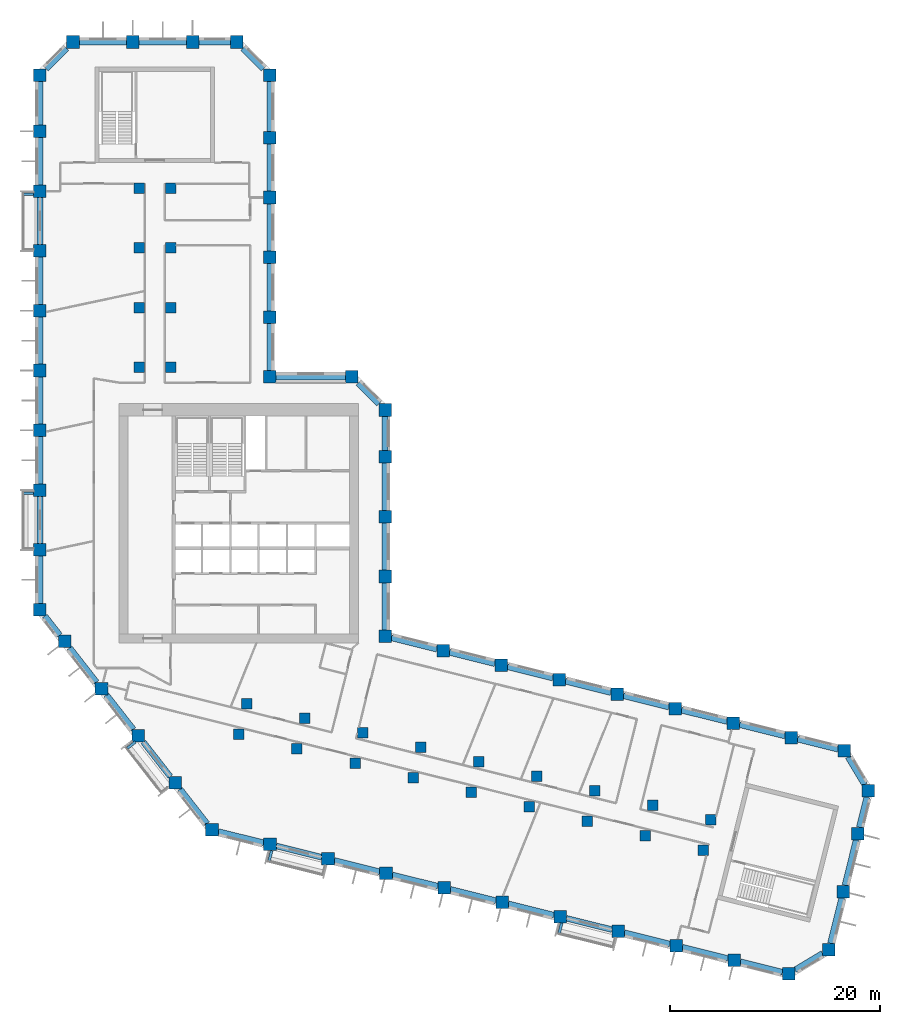
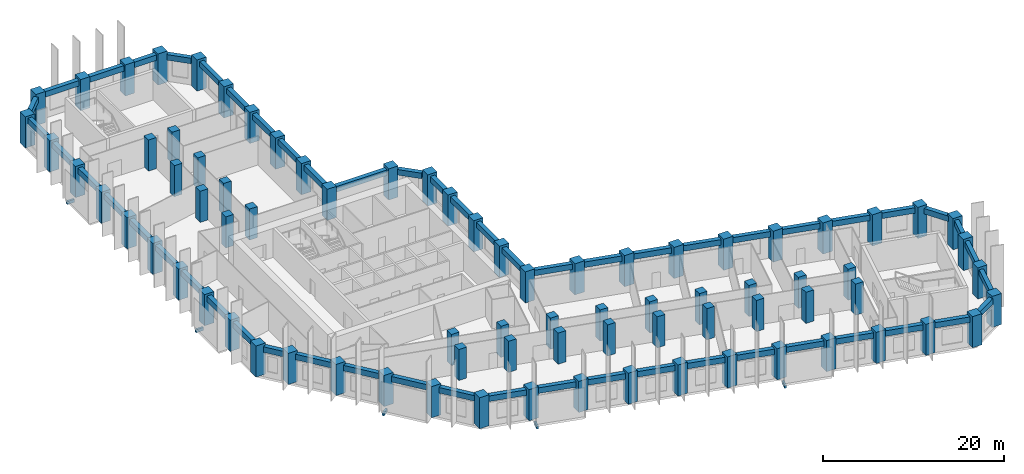
# One storey, part 1 of 10: 79 columns, 58 beams.
"""IFC4 building model written with IfcOpenShell, lengths in metres."""

from ifc_helpers import new_model, si_unit, direction, frame, origin, origin_2d, place, context, subcontext, project, spatial, rectangle, extrude, material, material_profile, profile_set, type_object, element, save


model = new_model("IFC4")

# Units and contexts
model_context = context("Model", 3, precision=1e-05, world=origin(), true_north=direction((0.0, 1.0)))
body_context = subcontext(model_context, "Body", "Model", "MODEL_VIEW")
ifc_project = project(units=[si_unit("LENGTHUNIT", "METRE"), si_unit("AREAUNIT", "SQUARE_METRE"), si_unit("VOLUMEUNIT", "CUBIC_METRE"), si_unit("PLANEANGLEUNIT", "RADIAN"), si_unit("MASSUNIT", "GRAM", prefix="KILO")], contexts=[model_context])

# Site, building, storey
site_placement = place(None, origin())
site = spatial("IfcSite", under=ifc_project, at=site_placement, CompositionType="ELEMENT")
building_placement = place(site_placement, origin())
building = spatial("IfcBuilding", under=site, at=building_placement, Name="Meshkara Civic Tower", CompositionType="ELEMENT")
storey_placement = place(building_placement, frame((0.0, 0.0, 211.800048828125)))
storey = spatial("IfcBuildingStorey", under=building, at=storey_placement, Name="L48", CompositionType="ELEMENT", Elevation=211.800048828125)

# Columns
ifc_material_1 = material(Name="Concrete C70", Category="concrete")
ifc_material_profile_1 = material_profile(ifc_material_1, rectangle(XDim=1.0, YDim=1.0, at=origin_2d()))
ifc_profile_set_1 = profile_set([ifc_material_profile_1], Name="Concrete C70")
column_type_1 = type_object("IfcColumnType", Name="Interior column RC 1000x1000 C70", PredefinedType="COLUMN", material=ifc_profile_set_1)
for number, where, z_axis, x_axis, name in (
    (1, (9.89990234375, 40.35009765625, 0.0), (0.0, 0.0, 1.0), (1.0, 0.0, 0.0), "Column SA1-04 L48"),
    (2, (9.89990234375, 46.050048828125, 0.0), (0.0, 0.0, 1.0), (1.0, 0.0, 0.0), "Column SA1-05 L48"),
    (3, (9.89990234375, 51.75, 0.0), (0.0, 0.0, 1.0), (1.0, 0.0, 0.0), "Column SA1-06 L48"),
    (4, (9.89990234375, 57.449951171875, 0.0), (0.0, 0.0, 1.0), (1.0, 0.0, 0.0), "Column SA1-07 L48"),
    (5, (12.89990234375, 40.35009765625, 0.0), (0.0, 0.0, 1.0), (1.0, 0.0, 0.0), "Column SA2-04 L48"),
    (6, (12.89990234375, 46.050048828125, 0.0), (0.0, 0.0, 1.0), (1.0, 0.0, 0.0), "Column SA2-05 L48"),
    (7, (12.89990234375, 51.75, 0.0), (0.0, 0.0, 1.0), (1.0, 0.0, 0.0), "Column SA2-06 L48"),
    (8, (12.89990234375, 57.449951171875, 0.0), (0.0, 0.0, 1.0), (1.0, 0.0, 0.0), "Column SA2-07 L48"),
    (9, (19.424072265625, 5.360107421875, 0.0), (0.0, 0.0, 1.0), (1.0, 0.0, 0.0), "Column SB1-00 L48"),
    (10, (24.9541015625, 3.98095703125, 0.0), (0.0, 0.0, 1.0), (1.0, 0.0, 0.0), "Column SB1-01 L48"),
    (11, (30.485107421875, 2.60205078125, 0.0), (0.0, 0.0, 1.0), (1.0, 0.0, 0.0), "Column SB1-02 L48"),
    (12, (36.01611328125, 1.222900390625, 0.0), (0.0, 0.0, 1.0), (1.0, 0.0, 0.0), "Column SB1-03 L48"),
    (13, (41.5458984375, -0.156005859375, 0.0), (0.0, 0.0, 1.0), (1.0, 0.0, 0.0), "Column SB1-04 L48"),
    (14, (47.076904296875, -1.534912109375, 0.0), (0.0, 0.0, 1.0), (1.0, 0.0, 0.0), "Column SB1-05 L48"),
    (15, (52.60791015625, -2.9140625, 0.0), (0.0, 0.0, 1.0), (1.0, 0.0, 0.0), "Column SB1-06 L48"),
    (16, (58.138916015625, -4.2919921875, 0.0), (0.0, 0.0, 1.0), (1.0, 0.0, 0.0), "Column SB1-07 L48"),
    (17, (63.6689453125, -5.6708984375, 0.0), (0.0, 0.0, 1.0), (1.0, 0.0, 0.0), "Column SB1-08 L48"),
    (18, (20.14892578125, 8.27099609375, 0.0), (0.0, 0.0, 1.0), (1.0, 0.0, 0.0), "Column SB2-00 L48"),
    (19, (25.679931640625, 6.89208984375, 0.0), (0.0, 0.0, 1.0), (1.0, 0.0, 0.0), "Column SB2-01 L48"),
    (20, (31.2109375, 5.512939453125, 0.0), (0.0, 0.0, 1.0), (1.0, 0.0, 0.0), "Column SB2-02 L48"),
    (21, (36.741943359375, 4.134033203125, 0.0), (0.0, 0.0, 1.0), (1.0, 0.0, 0.0), "Column SB2-03 L48"),
    (22, (42.27197265625, 2.7548828125, 0.0), (0.0, 0.0, 1.0), (1.0, 0.0, 0.0), "Column SB2-04 L48"),
    (23, (47.802978515625, 1.3759765625, 0.0), (0.0, 0.0, 1.0), (1.0, 0.0, 0.0), "Column SB2-05 L48"),
    (24, (53.333984375, -0.0029296875, 0.0), (0.0, 0.0, 1.0), (1.0, 0.0, 0.0), "Column SB2-06 L48"),
    (25, (58.864013671875, -1.382080078125, 0.0), (0.0, 0.0, 1.0), (1.0, 0.0, 0.0), "Column SB2-07 L48"),
    (26, (64.39501953125, -2.760986328125, 0.0), (0.0, 0.0, 1.0), (1.0, 0.0, 0.0), "Column SB2-08 L48"),
):
    element("IfcColumn", number, at=place(storey_placement, frame(where, z_axis=z_axis, x_axis=x_axis)), inside=storey, type_object=column_type_1, Name=name, PredefinedType="COLUMN", context=body_context, shape_type="SweptSolid", body=[
        extrude(rectangle(XDim=1.0, YDim=1.0, at=origin_2d()), origin(), (0.0, 0.0, 1.0), 4.199951171875),
    ])
ifc_material_2 = material(Name="Concrete C70", Category="concrete")
ifc_material_profile_2 = material_profile(ifc_material_2, rectangle(XDim=1.199951171875, YDim=1.199951171875, at=origin_2d()))
ifc_profile_set_2 = profile_set([ifc_material_profile_2], Name="Concrete C70")
column_type_2 = type_object("IfcColumnType", Name="Perimeter column RC 1200x1200 C70", PredefinedType="COLUMN", material=ifc_profile_set_2)
for number, where, z_axis, x_axis, name in (
    (27, (33.35009765625, 14.718994140625, 0.0), (0.0, 0.0, 1.0), (1.0, 0.0, 0.0), "Column HE00 L48"),
    (28, (33.35009765625, 20.4189453125, 0.0), (0.0, 0.0, 1.0), (1.0, 0.0, 0.0), "Column HE01 L48"),
    (29, (33.35009765625, 26.118896484375, 0.0), (0.0, 0.0, 1.0), (1.0, 0.0, 0.0), "Column HE02 L48"),
    (30, (33.35009765625, 31.819091796875, 0.0), (0.0, 0.0, 1.0), (1.0, 0.0, 0.0), "Column HE03 L48"),
    (31, (33.35009765625, 36.2939453125, 0.0), (0.0, 0.0, 1.0), (1.0, 0.0, 0.0), "Column HEE L48"),
    (32, (30.194091796875, 39.449951171875, 0.0), (0.0, 0.0, 1.0), (1.0, 0.0, 0.0), "Column HCeE L48"),
    (33, (22.35009765625, 39.449951171875, 0.0), (0.0, 0.0, 1.0), (1.0, 0.0, 0.0), "Column HN00 L48"),
    (34, (22.35009765625, 45.14990234375, 0.0), (0.0, 0.0, 1.0), (1.0, 0.0, 0.0), "Column AE01 L48"),
    (35, (22.35009765625, 50.85009765625, 0.0), (0.0, 0.0, 1.0), (1.0, 0.0, 0.0), "Column AE02 L48"),
    (36, (22.35009765625, 56.550048828125, 0.0), (0.0, 0.0, 1.0), (1.0, 0.0, 0.0), "Column AE03 L48"),
    (37, (22.35009765625, 62.25, 0.0), (0.0, 0.0, 1.0), (1.0, 0.0, 0.0), "Column AE04 L48"),
    (38, (22.35009765625, 68.214111328125, 0.0), (0.0, 0.0, 1.0), (1.0, 0.0, 0.0), "Column AEEP2 L48"),
    (39, (19.194091796875, 71.3701171875, 0.0), (0.0, 0.0, 1.0), (1.0, 0.0, 0.0), "Column ATiEP2 L48"),
    (40, (3.60595703125, 71.3701171875, 0.0), (0.0, 0.0, 1.0), (1.0, 0.0, 0.0), "Column AT00-P2 L48"),
    (41, (9.305908203125, 71.3701171875, 0.0), (0.0, 0.0, 1.0), (1.0, 0.0, 0.0), "Column AT01-P2 L48"),
    (42, (15.006103515625, 71.3701171875, 0.0), (0.0, 0.0, 1.0), (1.0, 0.0, 0.0), "Column AT02-P2 L48"),
    (43, (0.449951171875, 68.214111328125, 0.0), (0.0, 0.0, 1.0), (1.0, 0.0, 0.0), "Column ATo00-P2 L48"),
    (44, (0.449951171875, 17.2548828125, 0.0), (0.0, 0.0, 1.0), (1.0, 0.0, 0.0), "Column AW00 L48"),
    (45, (0.449951171875, 22.955078125, 0.0), (0.0, 0.0, 1.0), (1.0, 0.0, 0.0), "Column AW01 L48"),
    (46, (0.449951171875, 28.655029296875, 0.0), (0.0, 0.0, 1.0), (1.0, 0.0, 0.0), "Column AW02 L48"),
    (47, (0.449951171875, 34.35498046875, 0.0), (0.0, 0.0, 1.0), (1.0, 0.0, 0.0), "Column AW03 L48"),
    (48, (0.449951171875, 40.054931640625, 0.0), (0.0, 0.0, 1.0), (1.0, 0.0, 0.0), "Column AW04 L48"),
    (49, (0.449951171875, 45.7548828125, 0.0), (0.0, 0.0, 1.0), (1.0, 0.0, 0.0), "Column AW05 L48"),
    (50, (0.449951171875, 51.455078125, 0.0), (0.0, 0.0, 1.0), (1.0, 0.0, 0.0), "Column AW06 L48"),
    (51, (0.449951171875, 57.155029296875, 0.0), (0.0, 0.0, 1.0), (1.0, 0.0, 0.0), "Column AW07 L48"),
    (52, (0.449951171875, 62.85498046875, 0.0), (0.0, 0.0, 1.0), (1.0, 0.0, 0.0), "Column AW08 L48"),
    (53, (16.85107421875, -3.738037109375, 0.0), (0.0, 0.0, 1.0), (1.0, 0.0, 0.0), "Column BOW00 L48"),
    (54, (13.342041015625, 0.75390625, 0.0), (0.0, 0.0, 1.0), (1.0, 0.0, 0.0), "Column BOW01 L48"),
    (55, (9.8330078125, 5.2451171875, 0.0), (0.0, 0.0, 1.0), (1.0, 0.0, 0.0), "Column BOW02 L48"),
    (56, (6.322998046875, 9.737060546875, 0.0), (0.0, 0.0, 1.0), (1.0, 0.0, 0.0), "Column BOW03 L48"),
    (57, (2.81396484375, 14.22900390625, 0.0), (0.0, 0.0, 1.0), (1.0, 0.0, 0.0), "Column BOW04 L48"),
    (58, (22.382080078125, -5.116943359375, 0.0), (0.0, 0.0, 1.0), (1.0, 0.0, 0.0), "Column BS01 L48"),
    (59, (27.912109375, -6.49609375, 0.0), (0.0, 0.0, 1.0), (1.0, 0.0, 0.0), "Column BS02 L48"),
    (60, (33.443115234375, -7.875, 0.0), (0.0, 0.0, 1.0), (1.0, 0.0, 0.0), "Column BS03 L48"),
    (61, (38.97412109375, -9.2529296875, 0.0), (0.0, 0.0, 1.0), (1.0, 0.0, 0.0), "Column BS04-P1 L48"),
    (62, (44.5048828125, -10.632080078125, 0.0), (0.0, 0.0, 1.0), (1.0, 0.0, 0.0), "Column BS05 L48"),
    (63, (50.034912109375, -12.010986328125, 0.0), (0.0, 0.0, 1.0), (1.0, 0.0, 0.0), "Column BS06 L48"),
    (64, (55.56591796875, -13.389892578125, 0.0), (0.0, 0.0, 1.0), (1.0, 0.0, 0.0), "Column BS07 L48"),
    (65, (61.096923828125, -14.76904296875, 0.0), (0.0, 0.0, 1.0), (1.0, 0.0, 0.0), "Column BS08 L48"),
    (66, (66.626953125, -16.14794921875, 0.0), (0.0, 0.0, 1.0), (1.0, 0.0, 0.0), "Column BS09 L48"),
    (67, (71.826904296875, -17.444091796875, 0.0), (0.0, 0.0, 1.0), (1.0, 0.0, 0.0), "Column BSEP2 L48"),
    (68, (75.653076171875, -15.14501953125, 0.0), (0.0, 0.0, 1.0), (1.0, 0.0, 0.0), "Column BToEP2 L48"),
    (69, (77.031982421875, -9.614013671875, 0.0), (0.0, 0.0, 1.0), (1.0, 0.0, 0.0), "Column BT01-P2 L48"),
    (70, (78.410888671875, -4.083984375, 0.0), (0.0, 0.0, 1.0), (1.0, 0.0, 0.0), "Column BT02-P2 L48"),
    (71, (79.424072265625, -0.02099609375, 0.0), (0.0, 0.0, 1.0), (1.0, 0.0, 0.0), "Column BTEP2 L48"),
    (72, (77.125, 3.803955078125, 0.0), (0.0, 0.0, 1.0), (1.0, 0.0, 0.0), "Column BTi00-P2 L48"),
    (73, (38.881103515625, 13.340087890625, 0.0), (0.0, 0.0, 1.0), (1.0, 0.0, 0.0), "Column BN01 L48"),
    (74, (44.410888671875, 11.9609375, 0.0), (0.0, 0.0, 1.0), (1.0, 0.0, 0.0), "Column BN02 L48"),
    (75, (49.94189453125, 10.58203125, 0.0), (0.0, 0.0, 1.0), (1.0, 0.0, 0.0), "Column BN03 L48"),
    (76, (55.472900390625, 9.202880859375, 0.0), (0.0, 0.0, 1.0), (1.0, 0.0, 0.0), "Column BN04 L48"),
    (77, (61.0029296875, 7.823974609375, 0.0), (0.0, 0.0, 1.0), (1.0, 0.0, 0.0), "Column BN05 L48"),
    (78, (66.533935546875, 6.445068359375, 0.0), (0.0, 0.0, 1.0), (1.0, 0.0, 0.0), "Column BN06 L48"),
    (79, (72.06494140625, 5.06591796875, 0.0), (0.0, 0.0, 1.0), (1.0, 0.0, 0.0), "Column BN07 L48"),
):
    element("IfcColumn", number, at=place(storey_placement, frame(where, z_axis=z_axis, x_axis=x_axis)), inside=storey, type_object=column_type_2, Name=name, PredefinedType="COLUMN", context=body_context, shape_type="SweptSolid", body=[
        extrude(rectangle(XDim=1.199951171875, YDim=1.199951171875, at=origin_2d()), origin(), (0.0, 0.0, 1.0), 4.199951171875),
    ])

# Beams
ifc_material_3 = material(Name="Concrete C50", Category="concrete")
ifc_material_profile_3 = material_profile(ifc_material_3, rectangle(XDim=0.25, YDim=0.39990234375, at=origin_2d()))
ifc_profile_set_3 = profile_set([ifc_material_profile_3], Name="Concrete C50")
beam_type_1 = type_object("IfcBeamType", Name="Balcony bracket beam RC 250x400 C50", PredefinedType="BEAM", material=ifc_profile_set_3)
for number, where, z_axis, x_axis, name in (
    (80, (-0.14501953125, 56.85498046875, -0.5), (-1.0, 0.0, 0.0), (0.0, -1.0, 0.0), "Balcony bracket beam"),
    (81, (-0.14501953125, 28.35498046875, -0.5), (-1.0, 0.0, 0.0), (0.0, -1.0, 0.0), "Balcony bracket beam"),
):
    element("IfcBeam", number, at=place(storey_placement, frame(where, z_axis=z_axis, x_axis=x_axis)), inside=storey, type_object=beam_type_1, Name=name, PredefinedType="BEAM", context=body_context, shape_type="SweptSolid", body=[
        extrude(rectangle(XDim=0.25, YDim=0.39990234375, at=origin_2d()), origin(), (0.0, 0.0, 1.0), 0.955078125),
    ])
beam_1_placement = place(storey_placement, frame((9.555908203125, 4.64794921875, -0.5), z_axis=(-0.787905405849, -0.615796290533, 0.0), x_axis=(0.615796290533, -0.787905405849, 0.0)))
element("IfcBeam", 82, at=beam_1_placement, inside=storey, type_object=beam_type_1, Name="Balcony bracket beam", PredefinedType="BEAM", context=body_context, shape_type="SweptSolid", body=[
    extrude(rectangle(XDim=0.25, YDim=0.39990234375, at=origin_2d()), origin(), (0.0, 0.0, 1.0), 0.964599609375),
])
beam_2_placement = place(storey_placement, frame((22.54296875, -5.7119140625, -0.5), z_axis=(-0.242137982033, -0.970241824318, 0.0), x_axis=(0.970241824318, -0.242137982033, 0.0)))
element("IfcBeam", 83, at=beam_2_placement, inside=storey, type_object=beam_type_1, Name="Balcony bracket beam", PredefinedType="BEAM", context=body_context, shape_type="SweptSolid", body=[
    extrude(rectangle(XDim=0.25, YDim=0.39990234375, at=origin_2d()), origin(), (0.0, 0.0, 1.0), 1.01123046875),
])
beam_3_placement = place(storey_placement, frame((50.196044921875, -12.60595703125, -0.5), z_axis=(-0.24219504991, -0.970227580416, 0.0), x_axis=(0.970227580416, -0.24219504991, 0.0)))
element("IfcBeam", 84, at=beam_3_placement, inside=storey, type_object=beam_type_1, Name="Balcony bracket beam", PredefinedType="BEAM", context=body_context, shape_type="SweptSolid", body=[
    extrude(rectangle(XDim=0.25, YDim=0.39990234375, at=origin_2d()), origin(), (0.0, 0.0, 1.0), 1.011962890625),
])
ifc_material_4 = material(Name="Concrete C60", Category="concrete")
ifc_material_profile_4 = material_profile(ifc_material_4, rectangle(XDim=0.550048828125, YDim=0.75, at=origin_2d()))
ifc_profile_set_4 = profile_set([ifc_material_profile_4], Name="Concrete C60")
beam_type_2 = type_object("IfcBeamType", Name="Spandrel beam RC 550x750 C60", PredefinedType="BEAM", material=ifc_profile_set_4)
for number, where, z_axis, x_axis, name in (
    (85, (71.469970703125, 5.21435546875, 3.52490234375), (-0.970296390995, 0.241919229543, 0.0), (-0.241919229543, -0.970296390995, 0.0), "Spandrel beam BN06-BN07"),
    (86, (65.93896484375, 6.593505859375, 3.52490234375), (-0.970309199754, 0.241867850018, 0.0), (-0.241867850018, -0.970309199754, 0.0), "Spandrel beam BN05-BN06"),
):
    element("IfcBeam", number, at=place(storey_placement, frame(where, z_axis=z_axis, x_axis=x_axis)), inside=storey, type_object=beam_type_2, Name=name, PredefinedType="BEAM", context=body_context, shape_type="SweptSolid", body=[
        extrude(rectangle(XDim=0.550048828125, YDim=0.75, at=origin_2d()), origin(), (0.0, 0.0, 1.0), 4.4736328125),
    ])
beam_4_placement = place(storey_placement, frame((60.407958984375, 7.972412109375, 3.52490234375), z_axis=(-0.970283611566, 0.241970479865, 0.0), x_axis=(-0.241970479865, -0.970283611566, 0.0)))
element("IfcBeam", 87, at=beam_4_placement, inside=storey, type_object=beam_type_2, Name="Spandrel beam BN04-BN05", PredefinedType="BEAM", context=body_context, shape_type="SweptSolid", body=[
    extrude(rectangle(XDim=0.550048828125, YDim=0.75, at=origin_2d()), origin(), (0.0, 0.0, 1.0), 4.47265625),
])
for number, where, z_axis, x_axis, name in (
    (88, (54.8779296875, 9.351318359375, 3.52490234375), (-0.970296390995, 0.241919229543, 0.0), (-0.241919229543, -0.970296390995, 0.0), "Spandrel beam BN03-BN04"),
    (89, (49.346923828125, 10.73046875, 3.52490234375), (-0.970309199754, 0.241867850018, 0.0), (-0.241867850018, -0.970309199754, 0.0), "Spandrel beam BN02-BN03"),
):
    element("IfcBeam", number, at=place(storey_placement, frame(where, z_axis=z_axis, x_axis=x_axis)), inside=storey, type_object=beam_type_2, Name=name, PredefinedType="BEAM", context=body_context, shape_type="SweptSolid", body=[
        extrude(rectangle(XDim=0.550048828125, YDim=0.75, at=origin_2d()), origin(), (0.0, 0.0, 1.0), 4.4736328125),
    ])
beam_5_placement = place(storey_placement, frame((43.81591796875, 12.109375, 3.52490234375), z_axis=(-0.970283611566, 0.241970479865, 0.0), x_axis=(-0.241970479865, -0.970283611566, 0.0)))
element("IfcBeam", 90, at=beam_5_placement, inside=storey, type_object=beam_type_2, Name="Spandrel beam BN01-BN02", PredefinedType="BEAM", context=body_context, shape_type="SweptSolid", body=[
    extrude(rectangle(XDim=0.550048828125, YDim=0.75, at=origin_2d()), origin(), (0.0, 0.0, 1.0), 4.47265625),
])
beam_6_placement = place(storey_placement, frame((38.285888671875, 13.48828125, 3.52490234375), z_axis=(-0.970296390995, 0.241919229543, 0.0), x_axis=(-0.241919229543, -0.970296390995, 0.0)))
element("IfcBeam", 91, at=beam_6_placement, inside=storey, type_object=beam_type_2, Name="Spandrel beam BN01-HE00", PredefinedType="BEAM", context=body_context, shape_type="SweptSolid", body=[
    extrude(rectangle(XDim=0.550048828125, YDim=0.75, at=origin_2d()), origin(), (0.0, 0.0, 1.0), 4.4736328125),
])
for number, where, z_axis, x_axis, name in (
    (92, (33.35009765625, 15.31396484375, 3.52490234375), (0.0, 1.0, 0.0), (-1.0, 0.0, 0.0), "Spandrel beam HE00-HE01"),
    (93, (33.35009765625, 21.013916015625, 3.52490234375), (0.0, 1.0, 0.0), (-1.0, 0.0, 0.0), "Spandrel beam HE01-HE02"),
    (94, (33.35009765625, 26.714111328125, 3.52490234375), (0.0, 1.0, 0.0), (-1.0, 0.0, 0.0), "Spandrel beam HE02-HE03"),
):
    element("IfcBeam", number, at=place(storey_placement, frame(where, z_axis=z_axis, x_axis=x_axis)), inside=storey, type_object=beam_type_2, Name=name, PredefinedType="BEAM", context=body_context, shape_type="SweptSolid", body=[
        extrude(rectangle(XDim=0.550048828125, YDim=0.75, at=origin_2d()), origin(), (0.0, 0.0, 1.0), 4.510009765625),
    ])
beam_7_placement = place(storey_placement, frame((33.35009765625, 32.4140625, 3.52490234375), z_axis=(0.0, 1.0, 0.0), x_axis=(-1.0, 0.0, 0.0)))
element("IfcBeam", 95, at=beam_7_placement, inside=storey, type_object=beam_type_2, Name="Spandrel beam HE03-HEE", PredefinedType="BEAM", context=body_context, shape_type="SweptSolid", body=[
    extrude(rectangle(XDim=0.550048828125, YDim=0.75, at=origin_2d()), origin(), (0.0, 0.0, 1.0), 3.284912109375),
])
beam_8_placement = place(storey_placement, frame((32.75341796875, 36.890380859375, 3.52490234375), z_axis=(-0.707062808252, 0.707150751387, 0.0), x_axis=(-0.707150751387, -0.707062808252, 0.0)))
element("IfcBeam", 96, at=beam_8_placement, inside=storey, type_object=beam_type_2, Name="Spandrel beam HCeE-HEE", PredefinedType="BEAM", context=body_context, shape_type="SweptSolid", body=[
    extrude(rectangle(XDim=0.550048828125, YDim=0.75, at=origin_2d()), origin(), (0.0, 0.0, 1.0), 2.776123046875),
])
beam_9_placement = place(storey_placement, frame((29.59912109375, 39.449951171875, 3.52490234375), z_axis=(-1.0, 0.0, 0.0), x_axis=(0.0, -1.0, 0.0)))
element("IfcBeam", 97, at=beam_9_placement, inside=storey, type_object=beam_type_2, Name="Spandrel beam HCeE-HN00", PredefinedType="BEAM", context=body_context, shape_type="SweptSolid", body=[
    extrude(rectangle(XDim=0.550048828125, YDim=0.75, at=origin_2d()), origin(), (0.0, 0.0, 1.0), 6.654052734375),
])
beam_10_placement = place(storey_placement, frame((22.35009765625, 40.044921875, 3.52490234375), z_axis=(0.0, 1.0, 0.0), x_axis=(-1.0, 0.0, 0.0)))
element("IfcBeam", 98, at=beam_10_placement, inside=storey, type_object=beam_type_2, Name="Spandrel beam AE01-HN00", PredefinedType="BEAM", context=body_context, shape_type="SweptSolid", body=[
    extrude(rectangle(XDim=0.550048828125, YDim=0.75, at=origin_2d()), origin(), (0.0, 0.0, 1.0), 4.510009765625),
])
beam_11_placement = place(storey_placement, frame((22.35009765625, 45.7451171875, 3.52490234375), z_axis=(0.0, 1.0, 0.0), x_axis=(-1.0, 0.0, 0.0)))
element("IfcBeam", 99, at=beam_11_placement, inside=storey, type_object=beam_type_2, Name="Spandrel beam AE01-AE02", PredefinedType="BEAM", context=body_context, shape_type="SweptSolid", body=[
    extrude(rectangle(XDim=0.550048828125, YDim=0.75, at=origin_2d()), origin(), (0.0, 0.0, 1.0), 4.509765625),
])
for number, where, z_axis, x_axis, name in (
    (100, (22.35009765625, 51.445068359375, 3.52490234375), (0.0, 1.0, 0.0), (-1.0, 0.0, 0.0), "Spandrel beam AE02-AE03"),
    (101, (22.35009765625, 57.14501953125, 3.52490234375), (0.0, 1.0, 0.0), (-1.0, 0.0, 0.0), "Spandrel beam AE03-AE04"),
):
    element("IfcBeam", number, at=place(storey_placement, frame(where, z_axis=z_axis, x_axis=x_axis)), inside=storey, type_object=beam_type_2, Name=name, PredefinedType="BEAM", context=body_context, shape_type="SweptSolid", body=[
        extrude(rectangle(XDim=0.550048828125, YDim=0.75, at=origin_2d()), origin(), (0.0, 0.0, 1.0), 4.510009765625),
    ])
beam_12_placement = place(storey_placement, frame((22.35009765625, 62.844970703125, 3.52490234375), z_axis=(0.0, 1.0, 0.0), x_axis=(-1.0, 0.0, 0.0)))
element("IfcBeam", 102, at=beam_12_placement, inside=storey, type_object=beam_type_2, Name="Spandrel beam AE04-AEEP2", PredefinedType="BEAM", context=body_context, shape_type="SweptSolid", body=[
    extrude(rectangle(XDim=0.550048828125, YDim=0.75, at=origin_2d()), origin(), (0.0, 0.0, 1.0), 4.77392578125),
])
beam_13_placement = place(storey_placement, frame((21.75341796875, 68.810546875, 3.52490234375), z_axis=(-0.707106781187, 0.707106781187, 0.0), x_axis=(-0.707106781187, -0.707106781187, 0.0)))
element("IfcBeam", 103, at=beam_13_placement, inside=storey, type_object=beam_type_2, Name="Spandrel beam AEEP2-ATiEP2", PredefinedType="BEAM", context=body_context, shape_type="SweptSolid", body=[
    extrude(rectangle(XDim=0.550048828125, YDim=0.75, at=origin_2d()), origin(), (0.0, 0.0, 1.0), 2.77587890625),
])
beam_14_placement = place(storey_placement, frame((18.59912109375, 71.3701171875, 3.52490234375), z_axis=(-1.0, 0.0, 0.0), x_axis=(0.0, -1.0, 0.0)))
element("IfcBeam", 104, at=beam_14_placement, inside=storey, type_object=beam_type_2, Name="Spandrel beam AT02-P2-ATiEP2", PredefinedType="BEAM", context=body_context, shape_type="SweptSolid", body=[
    extrude(rectangle(XDim=0.550048828125, YDim=0.75, at=origin_2d()), origin(), (0.0, 0.0, 1.0), 2.998046875),
])
for number, where, z_axis, x_axis, name in (
    (105, (14.410888671875, 71.3701171875, 3.52490234375), (-1.0, 0.0, 0.0), (0.0, -1.0, 0.0), "Spandrel beam AT01-P2-AT02-P2"),
    (106, (8.7109375, 71.3701171875, 3.52490234375), (-1.0, 0.0, 0.0), (0.0, -1.0, 0.0), "Spandrel beam AT00-P2-AT01-P2"),
):
    element("IfcBeam", number, at=place(storey_placement, frame(where, z_axis=z_axis, x_axis=x_axis)), inside=storey, type_object=beam_type_2, Name=name, PredefinedType="BEAM", context=body_context, shape_type="SweptSolid", body=[
        extrude(rectangle(XDim=0.550048828125, YDim=0.75, at=origin_2d()), origin(), (0.0, 0.0, 1.0), 4.510009765625),
    ])
beam_15_placement = place(storey_placement, frame((3.009521484375, 70.7734375, 3.52490234375), z_axis=(-0.707150751387, -0.707062808252, 0.0), x_axis=(0.707062808252, -0.707150751387, 0.0)))
element("IfcBeam", 107, at=beam_15_placement, inside=storey, type_object=beam_type_2, Name="Spandrel beam AT00-P2-ATo00-P2", PredefinedType="BEAM", context=body_context, shape_type="SweptSolid", body=[
    extrude(rectangle(XDim=0.550048828125, YDim=0.75, at=origin_2d()), origin(), (0.0, 0.0, 1.0), 2.776123046875),
])
beam_16_placement = place(storey_placement, frame((0.449951171875, 67.618896484375, 3.52490234375), z_axis=(0.0, -1.0, 0.0), x_axis=(1.0, 0.0, 0.0)))
element("IfcBeam", 108, at=beam_16_placement, inside=storey, type_object=beam_type_2, Name="Spandrel beam ATo00-P2-AW08", PredefinedType="BEAM", context=body_context, shape_type="SweptSolid", body=[
    extrude(rectangle(XDim=0.550048828125, YDim=0.75, at=origin_2d()), origin(), (0.0, 0.0, 1.0), 4.1689453125),
])
for number, where, z_axis, x_axis, name in (
    (109, (0.449951171875, 62.260009765625, 3.52490234375), (0.0, -1.0, 0.0), (1.0, 0.0, 0.0), "Spandrel beam AW07-AW08"),
    (110, (0.449951171875, 56.56005859375, 3.52490234375), (0.0, -1.0, 0.0), (1.0, 0.0, 0.0), "Spandrel beam AW06-AW07"),
    (111, (0.449951171875, 50.860107421875, 3.52490234375), (0.0, -1.0, 0.0), (1.0, 0.0, 0.0), "Spandrel beam AW05-AW06"),
    (112, (0.449951171875, 45.159912109375, 3.52490234375), (0.0, -1.0, 0.0), (1.0, 0.0, 0.0), "Spandrel beam AW04-AW05"),
    (113, (0.449951171875, 39.4599609375, 3.52490234375), (0.0, -1.0, 0.0), (1.0, 0.0, 0.0), "Spandrel beam AW03-AW04"),
    (114, (0.449951171875, 33.760009765625, 3.52490234375), (0.0, -1.0, 0.0), (1.0, 0.0, 0.0), "Spandrel beam AW02-AW03"),
    (115, (0.449951171875, 28.06005859375, 3.52490234375), (0.0, -1.0, 0.0), (1.0, 0.0, 0.0), "Spandrel beam AW01-AW02"),
    (116, (0.449951171875, 22.360107421875, 3.52490234375), (0.0, -1.0, 0.0), (1.0, 0.0, 0.0), "Spandrel beam AW00-AW01"),
):
    element("IfcBeam", number, at=place(storey_placement, frame(where, z_axis=z_axis, x_axis=x_axis)), inside=storey, type_object=beam_type_2, Name=name, PredefinedType="BEAM", context=body_context, shape_type="SweptSolid", body=[
        extrude(rectangle(XDim=0.550048828125, YDim=0.75, at=origin_2d()), origin(), (0.0, 0.0, 1.0), 4.510009765625),
    ])
beam_17_placement = place(storey_placement, frame((0.915771484375, 16.658935546875, 3.52490234375), z_axis=(0.615646077935, -0.788022783124, 0.0), x_axis=(0.788022783124, 0.615646077935, 0.0)))
element("IfcBeam", 117, at=beam_17_placement, inside=storey, type_object=beam_type_2, Name="Spandrel beam AW00-BOW04", PredefinedType="BEAM", context=body_context, shape_type="SweptSolid", body=[
    extrude(rectangle(XDim=0.550048828125, YDim=0.75, at=origin_2d()), origin(), (0.0, 0.0, 1.0), 2.326904296875),
])
beam_18_placement = place(storey_placement, frame((3.279541015625, 13.6328125, 3.52490234375), z_axis=(0.615630464754, -0.788034980738, 0.0), x_axis=(0.788034980738, 0.615630464754, 0.0)))
element("IfcBeam", 118, at=beam_18_placement, inside=storey, type_object=beam_type_2, Name="Spandrel beam BOW03-BOW04", PredefinedType="BEAM", context=body_context, shape_type="SweptSolid", body=[
    extrude(rectangle(XDim=0.550048828125, YDim=0.75, at=origin_2d()), origin(), (0.0, 0.0, 1.0), 4.1875),
])
beam_19_placement = place(storey_placement, frame((6.788818359375, 9.140869140625, 3.52490234375), z_axis=(0.61570287025, -0.787978410596, 0.0), x_axis=(0.787978410596, 0.61570287025, 0.0)))
element("IfcBeam", 119, at=beam_19_placement, inside=storey, type_object=beam_type_2, Name="Spandrel beam BOW02-BOW03", PredefinedType="BEAM", context=body_context, shape_type="SweptSolid", body=[
    extrude(rectangle(XDim=0.550048828125, YDim=0.75, at=origin_2d()), origin(), (0.0, 0.0, 1.0), 4.187744140625),
])
beam_20_placement = place(storey_placement, frame((10.298583984375, 4.64892578125, 3.52490234375), z_axis=(0.615707413829, -0.787974860358, 0.0), x_axis=(0.787974860358, 0.615707413829, 0.0)))
element("IfcBeam", 120, at=beam_20_placement, inside=storey, type_object=beam_type_2, Name="Spandrel beam BOW01-BOW02", PredefinedType="BEAM", context=body_context, shape_type="SweptSolid", body=[
    extrude(rectangle(XDim=0.550048828125, YDim=0.75, at=origin_2d()), origin(), (0.0, 0.0, 1.0), 4.1865234375),
])
beam_21_placement = place(storey_placement, frame((13.8076171875, 0.157958984375, 3.52490234375), z_axis=(0.615630464754, -0.788034980738, 0.0), x_axis=(0.788034980738, 0.615630464754, 0.0)))
element("IfcBeam", 121, at=beam_21_placement, inside=storey, type_object=beam_type_2, Name="Spandrel beam BOW00-BOW01", PredefinedType="BEAM", context=body_context, shape_type="SweptSolid", body=[
    extrude(rectangle(XDim=0.550048828125, YDim=0.75, at=origin_2d()), origin(), (0.0, 0.0, 1.0), 4.1875),
])
beam_22_placement = place(storey_placement, frame((17.446044921875, -3.886474609375, 3.52490234375), z_axis=(0.970309199754, -0.241867850018, 0.0), x_axis=(0.241867850018, 0.970309199754, 0.0)))
element("IfcBeam", 122, at=beam_22_placement, inside=storey, type_object=beam_type_2, Name="Spandrel beam BOW00-BS01", PredefinedType="BEAM", context=body_context, shape_type="SweptSolid", body=[
    extrude(rectangle(XDim=0.550048828125, YDim=0.75, at=origin_2d()), origin(), (0.0, 0.0, 1.0), 4.4736328125),
])
beam_23_placement = place(storey_placement, frame((22.97705078125, -5.265380859375, 3.52490234375), z_axis=(0.970283611566, -0.241970479865, 0.0), x_axis=(0.241970479865, 0.970283611566, 0.0)))
element("IfcBeam", 123, at=beam_23_placement, inside=storey, type_object=beam_type_2, Name="Spandrel beam BS01-BS02", PredefinedType="BEAM", context=body_context, shape_type="SweptSolid", body=[
    extrude(rectangle(XDim=0.550048828125, YDim=0.75, at=origin_2d()), origin(), (0.0, 0.0, 1.0), 4.47265625),
])
for number, where, z_axis, x_axis, name in (
    (124, (28.507080078125, -6.644287109375, 3.52490234375), (0.970296390995, -0.241919229543, 0.0), (0.241919229543, 0.970296390995, 0.0), "Spandrel beam BS02-BS03"),
    (125, (34.0380859375, -8.023193359375, 3.52490234375), (0.970334810126, -0.241765084863, 0.0), (0.241765084863, 0.970334810126, 0.0), "Spandrel beam BS03-BS04-P1"),
    (126, (39.569091796875, -9.4013671875, 3.52490234375), (0.970296390995, -0.241919229543, 0.0), (0.241919229543, 0.970296390995, 0.0), "Spandrel beam BS04-P1-BS05"),
):
    element("IfcBeam", number, at=place(storey_placement, frame(where, z_axis=z_axis, x_axis=x_axis)), inside=storey, type_object=beam_type_2, Name=name, PredefinedType="BEAM", context=body_context, shape_type="SweptSolid", body=[
        extrude(rectangle(XDim=0.550048828125, YDim=0.75, at=origin_2d()), origin(), (0.0, 0.0, 1.0), 4.4736328125),
    ])
beam_24_placement = place(storey_placement, frame((45.10009765625, -10.780517578125, 3.52490234375), z_axis=(0.970296425585, -0.241919090807, 0.0), x_axis=(0.241919090807, 0.970296425585, 0.0)))
element("IfcBeam", 127, at=beam_24_placement, inside=storey, type_object=beam_type_2, Name="Spandrel beam BS05-BS06", PredefinedType="BEAM", context=body_context, shape_type="SweptSolid", body=[
    extrude(rectangle(XDim=0.550048828125, YDim=0.75, at=origin_2d()), origin(), (0.0, 0.0, 1.0), 4.47265625),
])
for number, where, z_axis, x_axis, name in (
    (128, (50.630126953125, -12.159423828125, 3.52490234375), (0.970296390995, -0.241919229543, 0.0), (0.241919229543, 0.970296390995, 0.0), "Spandrel beam BS06-BS07"),
    (129, (56.1611328125, -13.538330078125, 3.52490234375), (0.970296390995, -0.241919229543, 0.0), (0.241919229543, 0.970296390995, 0.0), "Spandrel beam BS07-BS08"),
):
    element("IfcBeam", number, at=place(storey_placement, frame(where, z_axis=z_axis, x_axis=x_axis)), inside=storey, type_object=beam_type_2, Name=name, PredefinedType="BEAM", context=body_context, shape_type="SweptSolid", body=[
        extrude(rectangle(XDim=0.550048828125, YDim=0.75, at=origin_2d()), origin(), (0.0, 0.0, 1.0), 4.4736328125),
    ])
beam_25_placement = place(storey_placement, frame((61.692138671875, -14.91748046875, 3.52490234375), z_axis=(0.970296425585, -0.241919090807, 0.0), x_axis=(0.241919090807, 0.970296425585, 0.0)))
element("IfcBeam", 130, at=beam_25_placement, inside=storey, type_object=beam_type_2, Name="Spandrel beam BS08-BS09", PredefinedType="BEAM", context=body_context, shape_type="SweptSolid", body=[
    extrude(rectangle(XDim=0.550048828125, YDim=0.75, at=origin_2d()), origin(), (0.0, 0.0, 1.0), 4.47265625),
])
beam_26_placement = place(storey_placement, frame((67.22216796875, -16.29638671875, 3.52490234375), z_axis=(0.970322944839, -0.241812701731, 0.0), x_axis=(0.241812701731, 0.970322944839, 0.0)))
element("IfcBeam", 131, at=beam_26_placement, inside=storey, type_object=beam_type_2, Name="Spandrel beam BS09-BSEP2", PredefinedType="BEAM", context=body_context, shape_type="SweptSolid", body=[
    extrude(rectangle(XDim=0.550048828125, YDim=0.75, at=origin_2d()), origin(), (0.0, 0.0, 1.0), 4.13232421875),
])
beam_27_placement = place(storey_placement, frame((72.422607421875, -17.0859375, 3.52490234375), z_axis=(0.85718440509, 0.515009607358, 0.0), x_axis=(-0.515009607358, 0.85718440509, 0.0)))
element("IfcBeam", 132, at=beam_27_placement, inside=storey, type_object=beam_type_2, Name="Spandrel beam BSEP2-BToEP2", PredefinedType="BEAM", context=body_context, shape_type="SweptSolid", body=[
    extrude(rectangle(XDim=0.550048828125, YDim=0.75, at=origin_2d()), origin(), (0.0, 0.0, 1.0), 3.07373046875),
])
beam_28_placement = place(storey_placement, frame((75.801513671875, -14.5498046875, 3.52490234375), z_axis=(0.241867850018, 0.970309199754, 0.0), x_axis=(-0.970309199754, 0.241867850018, 0.0)))
element("IfcBeam", 133, at=beam_28_placement, inside=storey, type_object=beam_type_2, Name="Spandrel beam BT01-P2-BToEP2", PredefinedType="BEAM", context=body_context, shape_type="SweptSolid", body=[
    extrude(rectangle(XDim=0.550048828125, YDim=0.75, at=origin_2d()), origin(), (0.0, 0.0, 1.0), 4.4736328125),
])
beam_29_placement = place(storey_placement, frame((77.180419921875, -9.018798828125, 3.52490234375), z_axis=(0.241983295733, 0.97028041544, 0.0), x_axis=(-0.97028041544, 0.241983295733, 0.0)))
element("IfcBeam", 134, at=beam_29_placement, inside=storey, type_object=beam_type_2, Name="Spandrel beam BT01-P2-BT02-P2", PredefinedType="BEAM", context=body_context, shape_type="SweptSolid", body=[
    extrude(rectangle(XDim=0.550048828125, YDim=0.75, at=origin_2d()), origin(), (0.0, 0.0, 1.0), 4.472412109375),
])
beam_30_placement = place(storey_placement, frame((78.559326171875, -3.489013671875, 3.52490234375), z_axis=(0.241934114249, 0.970292679743, 0.0), x_axis=(-0.970292679743, 0.241934114249, 0.0)))
element("IfcBeam", 135, at=beam_30_placement, inside=storey, type_object=beam_type_2, Name="Spandrel beam BT02-P2-BTEP2", PredefinedType="BEAM", context=body_context, shape_type="SweptSolid", body=[
    extrude(rectangle(XDim=0.550048828125, YDim=0.75, at=origin_2d()), origin(), (0.0, 0.0, 1.0), 2.960693359375),
])
beam_31_placement = place(storey_placement, frame((79.06591796875, 0.57470703125, 3.52490234375), z_axis=(-0.515126606613, 0.857114099265, 0.0), x_axis=(-0.857114099265, -0.515126606613, 0.0)))
element("IfcBeam", 136, at=beam_31_placement, inside=storey, type_object=beam_type_2, Name="Spandrel beam BTEP2-BTi00-P2", PredefinedType="BEAM", context=body_context, shape_type="SweptSolid", body=[
    extrude(rectangle(XDim=0.550048828125, YDim=0.75, at=origin_2d()), origin(), (0.0, 0.0, 1.0), 3.072509765625),
])
beam_32_placement = place(storey_placement, frame((76.52978515625, 3.952392578125, 3.52490234375), z_axis=(-0.970279182293, 0.241988240227, 0.0), x_axis=(-0.241988240227, -0.970279182293, 0.0)))
element("IfcBeam", 137, at=beam_32_placement, inside=storey, type_object=beam_type_2, Name="Spandrel beam BN07-BTi00-P2", PredefinedType="BEAM", context=body_context, shape_type="SweptSolid", body=[
    extrude(rectangle(XDim=0.550048828125, YDim=0.75, at=origin_2d()), origin(), (0.0, 0.0, 1.0), 3.98828125),
])

save(model, "model.ifc")
